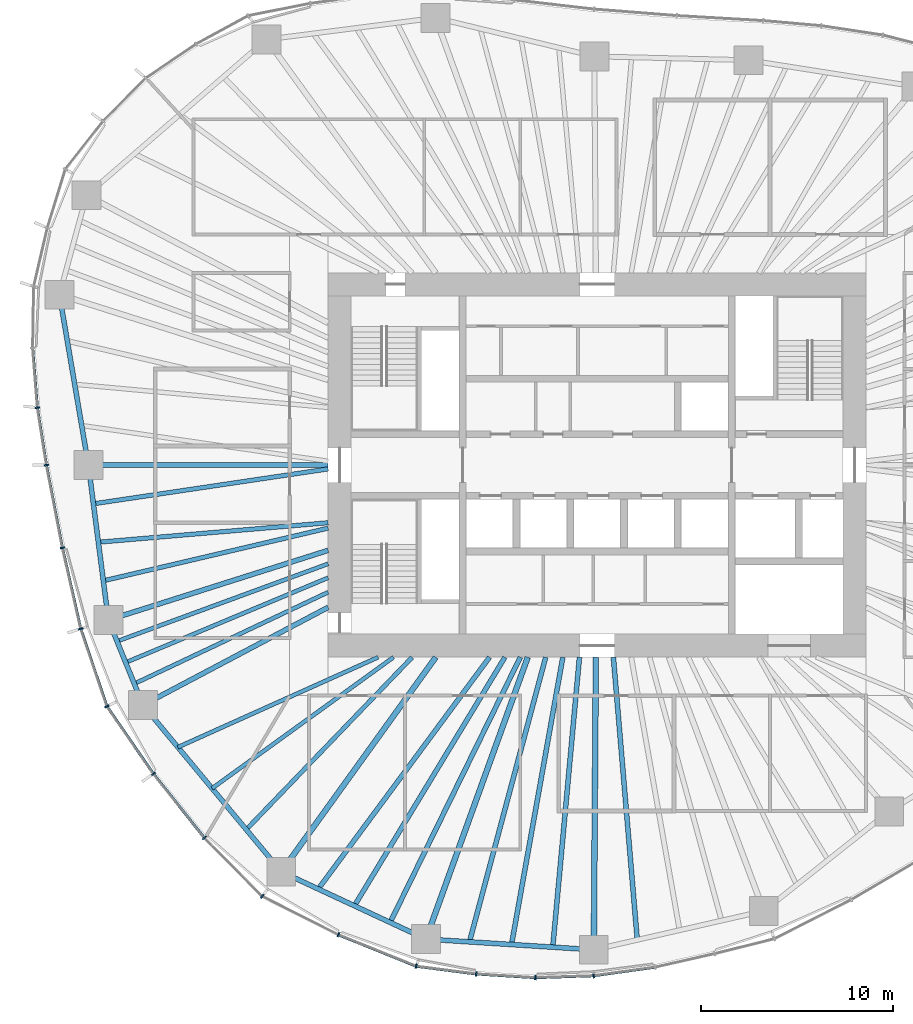
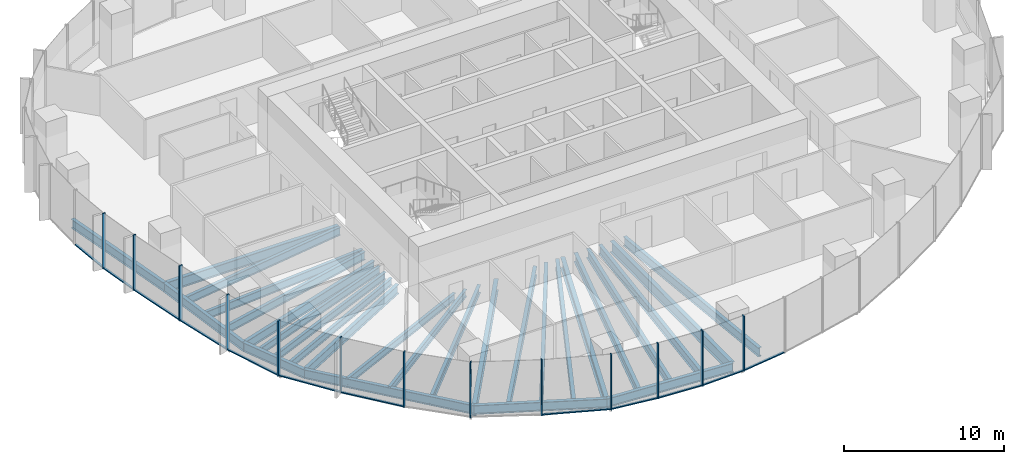
# One storey, part 2 of 18: 28 beams, 25 members, 7 elements without a shape of their own.
"""IFC4 building model written with IfcOpenShell, lengths in metres."""

from ifc_helpers import new_model, si_unit, direction, frame, origin, origin_2d, place, context, subcontext, project, spatial, rectangle, i_section, extrude, material, material_profile, profile_set, type_object, element, aggregate, save


model = new_model("IFC4")

# Units and contexts
model_context = context("Model", 3, precision=1e-05, world=origin(), true_north=direction((0.0, 1.0)))
body_context = subcontext(model_context, "Body", "Model", "MODEL_VIEW")
ifc_project = project(units=[si_unit("LENGTHUNIT", "METRE"), si_unit("AREAUNIT", "SQUARE_METRE"), si_unit("VOLUMEUNIT", "CUBIC_METRE"), si_unit("PLANEANGLEUNIT", "RADIAN"), si_unit("MASSUNIT", "GRAM", prefix="KILO")], contexts=[model_context])

# Site, building, storey
site_placement = place(None, origin())
site = spatial("IfcSite", under=ifc_project, at=site_placement, CompositionType="ELEMENT")
building_placement = place(site_placement, origin())
building = spatial("IfcBuilding", under=site, at=building_placement, Name="Ghaith Harvest Tower", CompositionType="ELEMENT")
storey_placement = place(building_placement, frame((0.0, 0.0, 126.0)))
storey = spatial("IfcBuildingStorey", under=building, at=storey_placement, Name="L26", CompositionType="ELEMENT", Elevation=126.0)

# Curtain wall, member
ifc_material_1 = material(Name="Black anodised aluminium and fritted glass", Category="aluminium")
curtain_wall_type = type_object("IfcCurtainWallType", Name="CW-L CURTAIN WALL", PredefinedType="NOTDEFINED", material=ifc_material_1)
curtain_wall_1_placement = place(storey_placement, origin())
curtain_wall_1 = element("IfcCurtainWall", 1, at=curtain_wall_1_placement, inside=storey, type_object=curtain_wall_type, Name="Curtain wall CW-L bay 10 L26", PredefinedType="NOTDEFINED")
ifc_material_2 = material(Name="Aluminium, black anodised", Category="aluminium")
ifc_material_profile_1 = material_profile(ifc_material_2, rectangle(XDim=0.080078125, YDim=0.239990234375, at=origin_2d()), Name="CW-L MULLION 80x240")
ifc_profile_set_1 = profile_set([ifc_material_profile_1], Name="Aluminium, black anodised")
member_type_1 = type_object("IfcMemberType", Name="CW-L MULLION 80x240", PredefinedType="MULLION", material=ifc_profile_set_1)
member_1_placement = place(storey_placement, frame((-29.131103515625, 2.990478515625, 0.0), z_axis=(0.0, 0.0, 1.0), x_axis=(0.116763791346, -0.993159713757, 0.0)))
member_1 = element("IfcMember", 2, at=member_1_placement, type_object=member_type_1, Name="CW-L mullion 3 bay 10 L26", PredefinedType="MULLION", context=body_context, shape_type="SweptSolid", body=[
    extrude(rectangle(XDim=0.080078125, YDim=0.239990234375, at=origin_2d()), origin(), (0.0, 0.0, 1.0), 4.199951171875),
])

# Curtain wall, members
curtain_wall_2_placement = place(storey_placement, origin())
curtain_wall_2 = element("IfcCurtainWall", 3, at=curtain_wall_2_placement, inside=storey, type_object=curtain_wall_type, Name="Curtain wall CW-L bay 11 L26", PredefinedType="NOTDEFINED")
member_2_placement = place(storey_placement, frame((-28.6611328125, 0.0, 0.0), z_axis=(0.0, 0.0, 1.0), x_axis=(0.175827209372, -0.984421044292, 0.0)))
member_2 = element("IfcMember", 4, at=member_2_placement, type_object=member_type_1, Name="CW-L mullion 1 bay 11 L26", PredefinedType="MULLION", context=body_context, shape_type="SweptSolid", body=[
    extrude(rectangle(XDim=0.080078125, YDim=0.239990234375, at=origin_2d()), origin(), (0.0, 0.0, 1.0), 4.199951171875),
])
member_3_placement = place(storey_placement, frame((-27.828125, -4.30419921875, 0.0), z_axis=(0.0, 0.0, 1.0), x_axis=(0.205176300018, -0.978725030798, 0.0)))
member_3 = element("IfcMember", 5, at=member_3_placement, type_object=member_type_1, Name="CW-L mullion 2 bay 11 L26", PredefinedType="MULLION", context=body_context, shape_type="SweptSolid", body=[
    extrude(rectangle(XDim=0.080078125, YDim=0.239990234375, at=origin_2d()), origin(), (0.0, 0.0, 1.0), 4.199951171875),
])

curtain_wall_3_placement = place(storey_placement, origin())
curtain_wall_3 = element("IfcCurtainWall", 6, at=curtain_wall_3_placement, inside=storey, type_object=curtain_wall_type, Name="Curtain wall CW-L bay 12 L26", PredefinedType="NOTDEFINED")
member_4_placement = place(storey_placement, frame((-26.875732421875, -8.517333984375, 0.0), z_axis=(0.0, 0.0, 1.0), x_axis=(0.270018818005, -0.962855045125, 0.0)))
member_4 = element("IfcMember", 7, at=member_4_placement, type_object=member_type_1, Name="CW-L mullion 1 bay 12 L26", PredefinedType="MULLION", context=body_context, shape_type="SweptSolid", body=[
    extrude(rectangle(XDim=0.080078125, YDim=0.239990234375, at=origin_2d()), origin(), (0.0, 0.0, 1.0), 4.199951171875),
])
member_5_placement = place(storey_placement, frame((-25.513427734375, -12.55810546875, 0.0), z_axis=(0.0, 0.0, 1.0), x_axis=(0.448267068681, -0.893899678452, 0.0)))
member_5 = element("IfcMember", 8, at=member_5_placement, type_object=member_type_1, Name="CW-L mullion 2 bay 12 L26", PredefinedType="MULLION", context=body_context, shape_type="SweptSolid", body=[
    extrude(rectangle(XDim=0.080078125, YDim=0.239990234375, at=origin_2d()), origin(), (0.0, 0.0, 1.0), 4.199951171875),
])

curtain_wall_4_placement = place(storey_placement, origin())
curtain_wall_4 = element("IfcCurtainWall", 9, at=curtain_wall_4_placement, inside=storey, type_object=curtain_wall_type, Name="Curtain wall CW-L bay 13 L26", PredefinedType="NOTDEFINED")
member_6_placement = place(storey_placement, frame((-23.090087890625, -16.066162109375, 0.0), z_axis=(0.0, 0.0, 1.0), x_axis=(0.595740202191, -0.803177198066, 0.0)))
member_6 = element("IfcMember", 10, at=member_6_placement, type_object=member_type_1, Name="CW-L mullion 1 bay 13 L26", PredefinedType="MULLION", context=body_context, shape_type="SweptSolid", body=[
    extrude(rectangle(XDim=0.080078125, YDim=0.239990234375, at=origin_2d()), origin(), (0.0, 0.0, 1.0), 4.199951171875),
])
member_7_placement = place(storey_placement, frame((-20.441162109375, -19.396728515625, 0.0), z_axis=(0.0, 0.0, 1.0), x_axis=(0.663764675537, -0.747941478666, 0.0)))
member_7 = element("IfcMember", 11, at=member_7_placement, type_object=member_type_1, Name="CW-L mullion 2 bay 13 L26", PredefinedType="MULLION", context=body_context, shape_type="SweptSolid", body=[
    extrude(rectangle(XDim=0.080078125, YDim=0.239990234375, at=origin_2d()), origin(), (0.0, 0.0, 1.0), 4.199951171875),
])

curtain_wall_5_placement = place(storey_placement, origin())
curtain_wall_5 = element("IfcCurtainWall", 12, at=curtain_wall_5_placement, inside=storey, type_object=curtain_wall_type, Name="Curtain wall CW-L bay 14 L26", PredefinedType="NOTDEFINED")
member_8_placement = place(storey_placement, frame((-17.430419921875, -22.443603515625, 0.0), z_axis=(0.0, 0.0, 1.0), x_axis=(0.810339399222, -0.585960799089, 0.0)))
member_8 = element("IfcMember", 13, at=member_8_placement, type_object=member_type_1, Name="CW-L mullion 1 bay 14 L26", PredefinedType="MULLION", context=body_context, shape_type="SweptSolid", body=[
    extrude(rectangle(XDim=0.080078125, YDim=0.239990234375, at=origin_2d()), origin(), (0.0, 0.0, 1.0), 4.199951171875),
])
member_9_placement = place(storey_placement, frame((-13.463134765625, -24.4423828125, 0.0), z_axis=(0.0, 0.0, 1.0), x_axis=(0.910648017946, -0.413182995066, 0.0)))
member_9 = element("IfcMember", 14, at=member_9_placement, type_object=member_type_1, Name="CW-L mullion 2 bay 14 L26", PredefinedType="MULLION", context=body_context, shape_type="SweptSolid", body=[
    extrude(rectangle(XDim=0.080078125, YDim=0.239990234375, at=origin_2d()), origin(), (0.0, 0.0, 1.0), 4.199951171875),
])

curtain_wall_6_placement = place(storey_placement, origin())
curtain_wall_6 = element("IfcCurtainWall", 15, at=curtain_wall_6_placement, inside=storey, type_object=curtain_wall_type, Name="Curtain wall CW-L bay 15 L26", PredefinedType="NOTDEFINED")
member_10_placement = place(storey_placement, frame((-9.4189453125, -26.07861328125, 0.0), z_axis=(0.0, 0.0, 1.0), x_axis=(0.961788606004, -0.273793128768, 0.0)))
member_10 = element("IfcMember", 16, at=member_10_placement, type_object=member_type_1, Name="CW-L mullion 1 bay 15 L26", PredefinedType="MULLION", context=body_context, shape_type="SweptSolid", body=[
    extrude(rectangle(XDim=0.080078125, YDim=0.239990234375, at=origin_2d()), origin(), (0.0, 0.0, 1.0), 4.199951171875),
])
member_11_placement = place(storey_placement, frame((-6.29443359375, -26.483154296875, 0.0), z_axis=(0.0, 0.0, 1.0), x_axis=(0.995389243171, -0.095917957546, 0.0)))
member_11 = element("IfcMember", 17, at=member_11_placement, type_object=member_type_1, Name="CW-L mullion 2 bay 15 L26", PredefinedType="MULLION", context=body_context, shape_type="SweptSolid", body=[
    extrude(rectangle(XDim=0.080078125, YDim=0.239990234375, at=origin_2d()), origin(), (0.0, 0.0, 1.0), 4.199951171875),
])
member_12_placement = place(storey_placement, frame((-3.21923828125, -26.676025390625, 0.0), z_axis=(0.0, 0.0, 1.0), x_axis=(0.999890531495, -0.014796115241, 0.0)))
member_12 = element("IfcMember", 18, at=member_12_placement, type_object=member_type_1, Name="CW-L mullion 3 bay 15 L26", PredefinedType="MULLION", context=body_context, shape_type="SweptSolid", body=[
    extrude(rectangle(XDim=0.080078125, YDim=0.239990234375, at=origin_2d()), origin(), (0.0, 0.0, 1.0), 4.199951171875),
])

# Curtain wall, member
curtain_wall_7_placement = place(storey_placement, origin())
curtain_wall_7 = element("IfcCurtainWall", 19, at=curtain_wall_7_placement, inside=storey, type_object=curtain_wall_type, Name="Curtain wall CW-L bay 16 L26", PredefinedType="NOTDEFINED")
member_13_placement = place(storey_placement, frame((-0.181884765625, -26.57373046875, 0.0), z_axis=(0.0, 0.0, 1.0), x_axis=(0.996169227662, 0.087446382772, 0.0)))
member_13 = element("IfcMember", 20, at=member_13_placement, type_object=member_type_1, Name="CW-L mullion 1 bay 16 L26", PredefinedType="MULLION", context=body_context, shape_type="SweptSolid", body=[
    extrude(rectangle(XDim=0.080078125, YDim=0.239990234375, at=origin_2d()), origin(), (0.0, 0.0, 1.0), 4.199951171875),
])

# Member
ifc_material_3 = material(Name="Aluminium, black anodised", Category="aluminium")
ifc_material_profile_2 = material_profile(ifc_material_3, rectangle(XDim=0.14990234375, YDim=0.080078125, at=origin_2d()), Name="CW-L TRANSOM 150x80")
ifc_profile_set_2 = profile_set([ifc_material_profile_2], Name="Aluminium, black anodised")
member_type_2 = type_object("IfcMemberType", Name="CW-L TRANSOM 150x80", PredefinedType="USERDEFINED", material=ifc_profile_set_2)
member_14_placement = place(storey_placement, frame((-29.374755859375, 6.05615234375, 0.0400390625), z_axis=(0.079230491279, -0.996856323274, 0.0), x_axis=(0.996856323274, 0.079230491279, 0.0)))
member_14 = element("IfcMember", 21, at=member_14_placement, type_object=member_type_2, Name="CW-L transom 2 bay 10 L26", ObjectType="TRANSOM", PredefinedType="USERDEFINED", context=body_context, shape_type="SweptSolid", body=[
    extrude(rectangle(XDim=0.14990234375, YDim=0.080078125, at=origin_2d()), origin(), (0.0, 0.0, 1.0), 3.03515625),
])

member_15_placement = place(storey_placement, frame((-29.124755859375, 2.951171875, 0.0400390625), z_axis=(0.155150065502, -0.987890913601, 0.0), x_axis=(0.987890913601, 0.155150065502, 0.0)))
member_15 = element("IfcMember", 22, at=member_15_placement, type_object=member_type_2, Name="CW-L transom 3 bay 10 L26", ObjectType="TRANSOM", PredefinedType="USERDEFINED", context=body_context, shape_type="SweptSolid", body=[
    extrude(rectangle(XDim=0.14990234375, YDim=0.080078125, at=origin_2d()), origin(), (0.0, 0.0, 1.0), 2.947265625),
])

aggregate(curtain_wall_1, [member_14, member_1, member_15])

member_16_placement = place(storey_placement, frame((-28.653564453125, -0.039306640625, 0.0400390625), z_axis=(0.190025434036, -0.981779167848, 0.0), x_axis=(0.981779167848, 0.190025434036, 0.0)))
member_16 = element("IfcMember", 23, at=member_16_placement, type_object=member_type_2, Name="CW-L transom 1 bay 11 L26", ObjectType="TRANSOM", PredefinedType="USERDEFINED", context=body_context, shape_type="SweptSolid", body=[
    extrude(rectangle(XDim=0.14990234375, YDim=0.080078125, at=origin_2d()), origin(), (0.0, 0.0, 1.0), 4.303955078125),
])

member_17_placement = place(storey_placement, frame((-27.8193359375, -4.34326171875, 0.0400390625), z_axis=(0.220508326041, -0.975385092231, 0.0), x_axis=(0.975385092231, 0.220508326041, 0.0)))
member_17 = element("IfcMember", 24, at=member_17_placement, type_object=member_type_2, Name="CW-L transom 2 bay 11 L26", ObjectType="TRANSOM", PredefinedType="USERDEFINED", context=body_context, shape_type="SweptSolid", body=[
    extrude(rectangle(XDim=0.14990234375, YDim=0.080078125, at=origin_2d()), origin(), (0.0, 0.0, 1.0), 4.2392578125),
])

aggregate(curtain_wall_2, [member_2, member_16, member_3, member_17])

member_18_placement = place(storey_placement, frame((-26.863037109375, -8.55517578125, 0.0400390625), z_axis=(0.319499057133, -0.947586593664, 0.0), x_axis=(0.947586593664, 0.319499057133, 0.0)))
member_18 = element("IfcMember", 25, at=member_18_placement, type_object=member_type_2, Name="CW-L transom 1 bay 12 L26", ObjectType="TRANSOM", PredefinedType="USERDEFINED", context=body_context, shape_type="SweptSolid", body=[
    extrude(rectangle(XDim=0.14990234375, YDim=0.080078125, at=origin_2d()), origin(), (0.0, 0.0, 1.0), 4.184326171875),
])

member_19_placement = place(storey_placement, frame((-25.49072265625, -12.591064453125, 0.0400390625), z_axis=(0.568360052499, -0.822779952796, 0.0), x_axis=(0.822779952796, 0.568360052499, 0.0)))
member_19 = element("IfcMember", 26, at=member_19_placement, type_object=member_type_2, Name="CW-L transom 2 bay 12 L26", ObjectType="TRANSOM", PredefinedType="USERDEFINED", context=body_context, shape_type="SweptSolid", body=[
    extrude(rectangle(XDim=0.14990234375, YDim=0.080078125, at=origin_2d()), origin(), (0.0, 0.0, 1.0), 4.183837890625),
])

aggregate(curtain_wall_3, [member_4, member_18, member_5, member_19])

member_20_placement = place(storey_placement, frame((-23.065185546875, -16.09765625, 0.0400390625), z_axis=(0.622510542814, -0.782611413209, 0.0), x_axis=(0.782611413209, 0.622510542814, 0.0)))
member_20 = element("IfcMember", 27, at=member_20_placement, type_object=member_type_2, Name="CW-L transom 1 bay 13 L26", ObjectType="TRANSOM", PredefinedType="USERDEFINED", context=body_context, shape_type="SweptSolid", body=[
    extrude(rectangle(XDim=0.14990234375, YDim=0.080078125, at=origin_2d()), origin(), (0.0, 0.0, 1.0), 4.17529296875),
])

aggregate(curtain_wall_4, [member_6, member_20, member_7])

member_21_placement = place(storey_placement, frame((-13.426025390625, -24.45751953125, 0.0400390625), z_axis=(0.92700297754, -0.375053968959, 0.0), x_axis=(0.375053968959, 0.92700297754, 0.0)))
member_21 = element("IfcMember", 28, at=member_21_placement, type_object=member_type_2, Name="CW-L transom 2 bay 14 L26", ObjectType="TRANSOM", PredefinedType="USERDEFINED", context=body_context, shape_type="SweptSolid", body=[
    extrude(rectangle(XDim=0.14990234375, YDim=0.080078125, at=origin_2d()), origin(), (0.0, 0.0, 1.0), 4.282470703125),
])

aggregate(curtain_wall_5, [member_8, member_9, member_21])

member_22_placement = place(storey_placement, frame((-9.37939453125, -26.083740234375, 0.0400390625), z_axis=(0.991722765635, -0.128397648429, 0.0), x_axis=(0.128397648429, 0.991722765635, 0.0)))
member_22 = element("IfcMember", 29, at=member_22_placement, type_object=member_type_2, Name="CW-L transom 1 bay 15 L26", ObjectType="TRANSOM", PredefinedType="USERDEFINED", context=body_context, shape_type="SweptSolid", body=[
    extrude(rectangle(XDim=0.14990234375, YDim=0.080078125, at=origin_2d()), origin(), (0.0, 0.0, 1.0), 3.07080078125),
])

member_23_placement = place(storey_placement, frame((-6.25439453125, -26.485595703125, 0.0400390625), z_axis=(0.998036402434, -0.062636566132, 0.0), x_axis=(0.062636566132, 0.998036402434, 0.0)))
member_23 = element("IfcMember", 30, at=member_23_placement, type_object=member_type_2, Name="CW-L transom 2 bay 15 L26", ObjectType="TRANSOM", PredefinedType="USERDEFINED", context=body_context, shape_type="SweptSolid", body=[
    extrude(rectangle(XDim=0.14990234375, YDim=0.080078125, at=origin_2d()), origin(), (0.0, 0.0, 1.0), 3.001220703125),
])

member_24_placement = place(storey_placement, frame((-3.17919921875, -26.6748046875, 0.0400390625), z_axis=(0.999430436664, 0.033746144522, 0.0), x_axis=(-0.033746144522, 0.999430436664, 0.0)))
member_24 = element("IfcMember", 31, at=member_24_placement, type_object=member_type_2, Name="CW-L transom 3 bay 15 L26", ObjectType="TRANSOM", PredefinedType="USERDEFINED", context=body_context, shape_type="SweptSolid", body=[
    extrude(rectangle(XDim=0.14990234375, YDim=0.080078125, at=origin_2d()), origin(), (0.0, 0.0, 1.0), 2.958984375),
])

aggregate(curtain_wall_6, [member_10, member_22, member_11, member_23, member_12, member_24])

member_25_placement = place(storey_placement, frame((-0.142333984375, -26.568115234375, 0.0400390625), z_axis=(0.990446640965, 0.137896524254, 0.0), x_axis=(-0.137896524254, 0.990446640965, 0.0)))
member_25 = element("IfcMember", 32, at=member_25_placement, type_object=member_type_2, Name="CW-L transom 1 bay 16 L26", ObjectType="TRANSOM", PredefinedType="USERDEFINED", context=body_context, shape_type="SweptSolid", body=[
    extrude(rectangle(XDim=0.14990234375, YDim=0.080078125, at=origin_2d()), origin(), (0.0, 0.0, 1.0), 3.142578125),
])

aggregate(curtain_wall_7, [member_13, member_25])

# Beams
ifc_material_4 = material(Name="Steel ASTM A992 Grade 50", Category="steel")
ifc_material_profile_3 = material_profile(ifc_material_4, i_section(OverallWidth=0.25390625, OverallDepth=0.68408203125, WebThickness=0.012451171875, FlangeThickness=0.018798828125, at=origin_2d()), Name="W690X140")
ifc_profile_set_3 = profile_set([ifc_material_profile_3], Name="Steel ASTM A992 Grade 50")
beam_type_1 = type_object("IfcBeamType", Name="E690-140 W690X140", PredefinedType="SPANDREL", material=ifc_profile_set_3)
beam_1_placement = place(storey_placement, frame((-27.98291015625, 8.867919921875, -0.511962890625), z_axis=(0.167624246844, -0.985850958244, 0.0), x_axis=(0.985850958244, 0.167624246844, 0.0)))
element("IfcBeam", 33, at=beam_1_placement, inside=storey, type_object=beam_type_1, Name="Edge beam E10 L26", PredefinedType="SPANDREL", context=body_context, shape_type="SweptSolid", body=[
    extrude(i_section(OverallWidth=0.25390625, OverallDepth=0.68408203125, WebThickness=0.012451171875, FlangeThickness=0.018798828125, at=origin_2d()), origin(), (0.0, 0.0, 1.0), 8.9951171875),
])
beam_2_placement = place(storey_placement, frame((-26.47509765625, 0.0, -0.511962890625), z_axis=(0.127841715048, -0.991794583517, 0.0), x_axis=(0.991794583517, 0.127841715048, 0.0)))
element("IfcBeam", 34, at=beam_2_placement, inside=storey, type_object=beam_type_1, Name="Edge beam E11 L26", PredefinedType="SPANDREL", context=body_context, shape_type="SweptSolid", body=[
    extrude(i_section(OverallWidth=0.25390625, OverallDepth=0.68408203125, WebThickness=0.012451171875, FlangeThickness=0.018798828125, at=origin_2d()), origin(), (0.0, 0.0, 1.0), 8.127685546875),
])
beam_3_placement = place(storey_placement, frame((-25.43603515625, -8.06103515625, -0.511962890625), z_axis=(0.376479712052, -0.9264248628, 0.0), x_axis=(0.9264248628, 0.376479712052, 0.0)))
element("IfcBeam", 35, at=beam_3_placement, inside=storey, type_object=beam_type_1, Name="Edge beam E12 L26", PredefinedType="SPANDREL", context=body_context, shape_type="SweptSolid", body=[
    extrude(i_section(OverallWidth=0.25390625, OverallDepth=0.68408203125, WebThickness=0.012451171875, FlangeThickness=0.018798828125, at=origin_2d()), origin(), (0.0, 0.0, 1.0), 4.783935546875),
])
beam_4_placement = place(storey_placement, frame((-23.635009765625, -12.492919921875, -0.511962890625), z_axis=(0.638719320052, -0.769439815835, 0.0), x_axis=(0.769439815835, 0.638719320052, 0.0)))
element("IfcBeam", 36, at=beam_4_placement, inside=storey, type_object=beam_type_1, Name="Edge beam E13 L26", PredefinedType="SPANDREL", context=body_context, shape_type="SweptSolid", body=[
    extrude(i_section(OverallWidth=0.25390625, OverallDepth=0.68408203125, WebThickness=0.012451171875, FlangeThickness=0.018798828125, at=origin_2d()), origin(), (0.0, 0.0, 1.0), 11.26953125),
])
beam_5_placement = place(storey_placement, frame((-16.43701171875, -21.1640625, -0.511962890625), z_axis=(0.906607079462, -0.421975832802, 0.0), x_axis=(0.421975832802, 0.906607079462, 0.0)))
element("IfcBeam", 37, at=beam_5_placement, inside=storey, type_object=beam_type_1, Name="Edge beam E14 L26", PredefinedType="SPANDREL", context=body_context, shape_type="SweptSolid", body=[
    extrude(i_section(OverallWidth=0.25390625, OverallDepth=0.68408203125, WebThickness=0.012451171875, FlangeThickness=0.018798828125, at=origin_2d()), origin(), (0.0, 0.0, 1.0), 8.303466796875),
])
beam_6_placement = place(storey_placement, frame((-8.908935546875, -24.66796875, -0.511962890625), z_axis=(0.99797963184, -0.063534671101, 0.0), x_axis=(0.063534671101, 0.99797963184, 0.0)))
element("IfcBeam", 38, at=beam_6_placement, inside=storey, type_object=beam_type_1, Name="Edge beam E15 L26", PredefinedType="SPANDREL", context=body_context, shape_type="SweptSolid", body=[
    extrude(i_section(OverallWidth=0.25390625, OverallDepth=0.68408203125, WebThickness=0.012451171875, FlangeThickness=0.018798828125, at=origin_2d()), origin(), (0.0, 0.0, 1.0), 8.75341796875),
])
ifc_material_5 = material(Name="Steel ASTM A992 Grade 50", Category="steel")
ifc_material_profile_4 = material_profile(ifc_material_5, i_section(OverallWidth=0.256103515625, OverallDepth=0.693115234375, WebThickness=0.014404296875, FlangeThickness=0.023681640625, at=origin_2d()), Name="W690X170")
ifc_profile_set_4 = profile_set([ifc_material_profile_4], Name="Steel ASTM A992 Grade 50")
beam_type_2 = type_object("IfcBeamType", Name="G690-170 W690X170", PredefinedType="BEAM", material=ifc_profile_set_4)
beam_7_placement = place(storey_placement, frame((-14.0, -4.43701171875, -0.5166015625), z_axis=(-0.953279533519, -0.302089607522, 0.0), x_axis=(0.302089607522, -0.953279533519, 0.0)))
element("IfcBeam", 39, at=beam_7_placement, inside=storey, type_object=beam_type_2, Name="Radial girder G12 L26", PredefinedType="BEAM", context=body_context, shape_type="SweptSolid", body=[
    extrude(i_section(OverallWidth=0.256103515625, OverallDepth=0.693115234375, WebThickness=0.014404296875, FlangeThickness=0.023681640625, at=origin_2d()), origin(), (0.0, 0.0, 1.0), 11.99658203125),
])
beam_8_placement = place(storey_placement, frame((-14.0, -7.39990234375, -0.5166015625), z_axis=(-0.884086346066, -0.467323584576, 0.0), x_axis=(0.467323584576, -0.884086346066, 0.0)))
element("IfcBeam", 40, at=beam_8_placement, inside=storey, type_object=beam_type_2, Name="Radial girder G13 L26", PredefinedType="BEAM", context=body_context, shape_type="SweptSolid", body=[
    extrude(i_section(OverallWidth=0.256103515625, OverallDepth=0.693115234375, WebThickness=0.014404296875, FlangeThickness=0.023681640625, at=origin_2d()), origin(), (0.0, 0.0, 1.0), 10.898193359375),
])
ifc_material_6 = material(Name="Steel ASTM A992 Grade 50", Category="steel")
ifc_material_profile_5 = material_profile(ifc_material_6, i_section(OverallWidth=0.26806640625, OverallDepth=0.77001953125, WebThickness=0.015625, FlangeThickness=0.025390625, at=origin_2d()), Name="W760X196")
ifc_profile_set_5 = profile_set([ifc_material_profile_5], Name="Steel ASTM A992 Grade 50")
beam_type_3 = type_object("IfcBeamType", Name="G760-196 W760X196", PredefinedType="BEAM", material=ifc_profile_set_5)
beam_9_placement = place(storey_placement, frame((-14.0, 0.0, -0.554931640625), z_axis=(-1.0, 0.0, 0.0), x_axis=(0.0, -1.0, 0.0)))
element("IfcBeam", 41, at=beam_9_placement, inside=storey, type_object=beam_type_3, Name="Radial girder G11 L26", PredefinedType="BEAM", context=body_context, shape_type="SweptSolid", body=[
    extrude(i_section(OverallWidth=0.26806640625, OverallDepth=0.77001953125, WebThickness=0.015625, FlangeThickness=0.025390625, at=origin_2d()), origin(), (0.0, 0.0, 1.0), 12.47509765625),
])
ifc_material_7 = material(Name="Steel ASTM A992 Grade 50", Category="steel")
ifc_material_profile_6 = material_profile(ifc_material_7, i_section(OverallWidth=0.2939453125, OverallDepth=0.85107421875, WebThickness=0.01611328125, FlangeThickness=0.02685546875, at=origin_2d()), Name="W840X226")
ifc_profile_set_6 = profile_set([ifc_material_profile_6], Name="Steel ASTM A992 Grade 50")
beam_type_4 = type_object("IfcBeamType", Name="G840-226 W840X226", PredefinedType="BEAM", material=ifc_profile_set_6)
beam_10_placement = place(storey_placement, frame((-8.39990234375, -10.0, -0.595458984375), z_axis=(-0.584256100809, -0.811569349265, 0.0), x_axis=(0.811569349265, -0.584256100809, 0.0)))
element("IfcBeam", 42, at=beam_10_placement, inside=storey, type_object=beam_type_4, Name="Radial girder G14 L26", PredefinedType="BEAM", context=body_context, shape_type="SweptSolid", body=[
    extrude(i_section(OverallWidth=0.2939453125, OverallDepth=0.85107421875, WebThickness=0.01611328125, FlangeThickness=0.02685546875, at=origin_2d()), origin(), (0.0, 0.0, 1.0), 13.756103515625),
])
beam_11_placement = place(storey_placement, frame((-3.61181640625, -10.0, -0.595458984375), z_axis=(-0.339664467784, -0.940546675782, 0.0), x_axis=(0.940546675782, -0.339664467784, 0.0)))
element("IfcBeam", 43, at=beam_11_placement, inside=storey, type_object=beam_type_4, Name="Radial girder G15 L26", PredefinedType="BEAM", context=body_context, shape_type="SweptSolid", body=[
    extrude(i_section(OverallWidth=0.2939453125, OverallDepth=0.85107421875, WebThickness=0.01611328125, FlangeThickness=0.02685546875, at=origin_2d()), origin(), (0.0, 0.0, 1.0), 15.59521484375),
])
beam_12_placement = place(storey_placement, frame((-0.068359375, -10.0, -0.595458984375), z_axis=(-0.006879467722, -0.999976336182, 0.0), x_axis=(0.999976336182, -0.006879467722, 0.0)))
element("IfcBeam", 44, at=beam_12_placement, inside=storey, type_object=beam_type_4, Name="Radial girder G16 L26", PredefinedType="BEAM", context=body_context, shape_type="SweptSolid", body=[
    extrude(i_section(OverallWidth=0.2939453125, OverallDepth=0.85107421875, WebThickness=0.01611328125, FlangeThickness=0.02685546875, at=origin_2d()), origin(), (0.0, 0.0, 1.0), 15.224365234375),
])
ifc_material_8 = material(Name="Steel ASTM A992 Grade 50", Category="steel")
ifc_material_profile_7 = material_profile(ifc_material_8, i_section(OverallWidth=0.2109375, OverallDepth=0.5390625, WebThickness=0.01171875, FlangeThickness=0.018798828125, at=origin_2d()), Name="W530X109")
ifc_profile_set_7 = profile_set([ifc_material_profile_7], Name="Steel ASTM A992 Grade 50")
beam_type_5 = type_object("IfcBeamType", Name="J530-109 W530X109", PredefinedType="JOIST", material=ifc_profile_set_7)
beam_13_placement = place(storey_placement, frame((-14.0, -5.137939453125, -0.439453125), z_axis=(-0.938774452531, -0.344532331247, 0.0), x_axis=(0.344532331247, -0.938774452531, 0.0)))
element("IfcBeam", 45, at=beam_13_placement, inside=storey, type_object=beam_type_5, Name="Joist J12.1 L26", PredefinedType="JOIST", context=body_context, shape_type="SweptSolid", body=[
    extrude(i_section(OverallWidth=0.2109375, OverallDepth=0.5390625, WebThickness=0.01171875, FlangeThickness=0.018798828125, at=origin_2d()), origin(), (0.0, 0.0, 1.0), 11.7021484375),
])
beam_14_placement = place(storey_placement, frame((-14.0, -5.862548828125, -0.439453125), z_axis=(-0.922385564947, -0.386270461693, 0.0), x_axis=(0.386270461693, -0.922385564947, 0.0)))
element("IfcBeam", 46, at=beam_14_placement, inside=storey, type_object=beam_type_5, Name="Joist J12.2 L26", PredefinedType="JOIST", context=body_context, shape_type="SweptSolid", body=[
    extrude(i_section(OverallWidth=0.2109375, OverallDepth=0.5390625, WebThickness=0.01171875, FlangeThickness=0.018798828125, at=origin_2d()), origin(), (0.0, 0.0, 1.0), 11.4228515625),
])
beam_15_placement = place(storey_placement, frame((-14.0, -6.614990234375, -0.439453125), z_axis=(-0.904150042111, -0.427215052815, 0.0), x_axis=(0.427215052815, -0.904150042111, 0.0)))
element("IfcBeam", 47, at=beam_15_placement, inside=storey, type_object=beam_type_5, Name="Joist J12.3 L26", PredefinedType="JOIST", context=body_context, shape_type="SweptSolid", body=[
    extrude(i_section(OverallWidth=0.2109375, OverallDepth=0.5390625, WebThickness=0.01171875, FlangeThickness=0.018798828125, at=origin_2d()), origin(), (0.0, 0.0, 1.0), 11.15625),
])
beam_16_placement = place(storey_placement, frame((-11.39990234375, -10.0, -0.439453125), z_axis=(-0.912147734774, -0.409861574127, 0.0), x_axis=(0.409861574127, -0.912147734774, 0.0)))
element("IfcBeam", 48, at=beam_16_placement, inside=storey, type_object=beam_type_5, Name="Joist J13.1 L26", PredefinedType="JOIST", context=body_context, shape_type="SweptSolid", body=[
    extrude(i_section(OverallWidth=0.2109375, OverallDepth=0.5390625, WebThickness=0.01171875, FlangeThickness=0.018798828125, at=origin_2d()), origin(), (0.0, 0.0, 1.0), 11.421875),
])
beam_17_placement = place(storey_placement, frame((-10.60009765625, -10.0, -0.439453125), z_axis=(-0.810452010932, -0.5858050341, 0.0), x_axis=(0.5858050341, -0.810452010932, 0.0)))
element("IfcBeam", 49, at=beam_17_placement, inside=storey, type_object=beam_type_5, Name="Joist J13.2 L26", PredefinedType="JOIST", context=body_context, shape_type="SweptSolid", body=[
    extrude(i_section(OverallWidth=0.2109375, OverallDepth=0.5390625, WebThickness=0.01171875, FlangeThickness=0.018798828125, at=origin_2d()), origin(), (0.0, 0.0, 1.0), 11.64794921875),
])
ifc_material_9 = material(Name="Steel ASTM A992 Grade 50", Category="steel")
ifc_material_profile_8 = material_profile(ifc_material_9, i_section(OverallWidth=0.22900390625, OverallDepth=0.612060546875, WebThickness=0.011962890625, FlangeThickness=0.01953125, at=origin_2d()), Name="W610X125")
ifc_profile_set_8 = profile_set([ifc_material_profile_8], Name="Steel ASTM A992 Grade 50")
beam_type_6 = type_object("IfcBeamType", Name="J610-125 W610X125", PredefinedType="JOIST", material=ifc_profile_set_8)
beam_18_placement = place(storey_placement, frame((-14.0, -0.199951171875, -0.47607421875), z_axis=(-0.989135422742, -0.147007195321, 0.0), x_axis=(0.147007195321, -0.989135422742, 0.0)))
element("IfcBeam", 50, at=beam_18_placement, inside=storey, type_object=beam_type_6, Name="Joist J11.1 L26", PredefinedType="JOIST", context=body_context, shape_type="SweptSolid", body=[
    extrude(i_section(OverallWidth=0.22900390625, OverallDepth=0.612060546875, WebThickness=0.011962890625, FlangeThickness=0.01953125, at=origin_2d()), origin(), (0.0, 0.0, 1.0), 12.349365234375),
])
beam_19_placement = place(storey_placement, frame((-14.0, -3.0, -0.47607421875), z_axis=(-0.996417474722, -0.0845707755, 0.0), x_axis=(0.0845707755, -0.996417474722, 0.0)))
element("IfcBeam", 51, at=beam_19_placement, inside=storey, type_object=beam_type_6, Name="Joist J11.2 L26", PredefinedType="JOIST", context=body_context, shape_type="SweptSolid", body=[
    extrude(i_section(OverallWidth=0.22900390625, OverallDepth=0.612060546875, WebThickness=0.011962890625, FlangeThickness=0.01953125, at=origin_2d()), origin(), (0.0, 0.0, 1.0), 12.00048828125),
])
beam_20_placement = place(storey_placement, frame((-14.0, -3.280517578125, -0.47607421875), z_axis=(-0.973624350862, -0.228157014813, 0.0), x_axis=(0.228157014813, -0.973624350862, 0.0)))
element("IfcBeam", 52, at=beam_20_placement, inside=storey, type_object=beam_type_6, Name="Joist J11.3 L26", PredefinedType="JOIST", context=body_context, shape_type="SweptSolid", body=[
    extrude(i_section(OverallWidth=0.22900390625, OverallDepth=0.612060546875, WebThickness=0.011962890625, FlangeThickness=0.01953125, at=origin_2d()), origin(), (0.0, 0.0, 1.0), 12.015625),
])
beam_21_placement = place(storey_placement, frame((-9.626708984375, -10.0, -0.47607421875), z_axis=(-0.693534641621, -0.720423278963, 0.0), x_axis=(0.720423278963, -0.693534641621, 0.0)))
element("IfcBeam", 53, at=beam_21_placement, inside=storey, type_object=beam_type_6, Name="Joist J13.3 L26", PredefinedType="JOIST", context=body_context, shape_type="SweptSolid", body=[
    extrude(i_section(OverallWidth=0.22900390625, OverallDepth=0.612060546875, WebThickness=0.011962890625, FlangeThickness=0.01953125, at=origin_2d()), origin(), (0.0, 0.0, 1.0), 12.4482421875),
])
ifc_material_10 = material(Name="Steel ASTM A992 Grade 50", Category="steel")
ifc_material_profile_9 = material_profile(ifc_material_10, i_section(OverallWidth=0.25390625, OverallDepth=0.68408203125, WebThickness=0.012451171875, FlangeThickness=0.018798828125, at=origin_2d()), Name="W690X140")
ifc_profile_set_9 = profile_set([ifc_material_profile_9], Name="Steel ASTM A992 Grade 50")
beam_type_7 = type_object("IfcBeamType", Name="J690-140 W690X140", PredefinedType="JOIST", material=ifc_profile_set_9)
beam_22_placement = place(storey_placement, frame((-5.60009765625, -10.0, -0.511962890625), z_axis=(-0.59434024765, -0.804213696739, 0.0), x_axis=(0.804213696739, -0.59434024765, 0.0)))
element("IfcBeam", 54, at=beam_22_placement, inside=storey, type_object=beam_type_7, Name="Joist J14.1 L26", PredefinedType="JOIST", context=body_context, shape_type="SweptSolid", body=[
    extrude(i_section(OverallWidth=0.25390625, OverallDepth=0.68408203125, WebThickness=0.012451171875, FlangeThickness=0.018798828125, at=origin_2d()), origin(), (0.0, 0.0, 1.0), 14.995849609375),
])
beam_23_placement = place(storey_placement, frame((-4.800048828125, -10.0, -0.511962890625), z_axis=(-0.517986442874, -0.855388826791, 0.0), x_axis=(0.855388826791, -0.517986442874, 0.0)))
element("IfcBeam", 55, at=beam_23_placement, inside=storey, type_object=beam_type_7, Name="Joist J14.2 L26", PredefinedType="JOIST", context=body_context, shape_type="SweptSolid", body=[
    extrude(i_section(OverallWidth=0.25390625, OverallDepth=0.68408203125, WebThickness=0.012451171875, FlangeThickness=0.018798828125, at=origin_2d()), origin(), (0.0, 0.0, 1.0), 15.12158203125),
])
beam_24_placement = place(storey_placement, frame((-4.0, -10.0, -0.511962890625), z_axis=(-0.440562898219, -0.897721745706, 0.0), x_axis=(0.897721745706, -0.440562898219, 0.0)))
element("IfcBeam", 56, at=beam_24_placement, inside=storey, type_object=beam_type_7, Name="Joist J14.3 L26", PredefinedType="JOIST", context=body_context, shape_type="SweptSolid", body=[
    extrude(i_section(OverallWidth=0.25390625, OverallDepth=0.68408203125, WebThickness=0.012451171875, FlangeThickness=0.018798828125, at=origin_2d()), origin(), (0.0, 0.0, 1.0), 15.372802734375),
])
beam_25_placement = place(storey_placement, frame((-2.677978515625, -10.0, -0.511962890625), z_axis=(-0.258693109612, -0.965959561803, 0.0), x_axis=(0.965959561803, -0.258693109612, 0.0)))
element("IfcBeam", 57, at=beam_25_placement, inside=storey, type_object=beam_type_7, Name="Joist J15.1 L26", PredefinedType="JOIST", context=body_context, shape_type="SweptSolid", body=[
    extrude(i_section(OverallWidth=0.25390625, OverallDepth=0.68408203125, WebThickness=0.012451171875, FlangeThickness=0.018798828125, at=origin_2d()), origin(), (0.0, 0.0, 1.0), 15.333984375),
])
beam_26_placement = place(storey_placement, frame((-1.785888671875, -10.0, -0.511962890625), z_axis=(-0.175792307544, -0.984427277461, 0.0), x_axis=(0.984427277461, -0.175792307544, 0.0)))
element("IfcBeam", 58, at=beam_26_placement, inside=storey, type_object=beam_type_7, Name="Joist J15.2 L26", PredefinedType="JOIST", context=body_context, shape_type="SweptSolid", body=[
    extrude(i_section(OverallWidth=0.25390625, OverallDepth=0.68408203125, WebThickness=0.012451171875, FlangeThickness=0.018798828125, at=origin_2d()), origin(), (0.0, 0.0, 1.0), 15.18798828125),
])
beam_27_placement = place(storey_placement, frame((-0.92041015625, -10.0, -0.511962890625), z_axis=(-0.091651457116, -0.995791147987, 0.0), x_axis=(0.995791147987, -0.091651457116, 0.0)))
element("IfcBeam", 59, at=beam_27_placement, inside=storey, type_object=beam_type_7, Name="Joist J15.3 L26", PredefinedType="JOIST", context=body_context, shape_type="SweptSolid", body=[
    extrude(i_section(OverallWidth=0.25390625, OverallDepth=0.68408203125, WebThickness=0.012451171875, FlangeThickness=0.018798828125, at=origin_2d()), origin(), (0.0, 0.0, 1.0), 15.151611328125),
])
beam_28_placement = place(storey_placement, frame((0.844970703125, -10.0, -0.511962890625), z_axis=(0.084208979751, -0.996448115924, 0.0), x_axis=(0.996448115924, 0.084208979751, 0.0)))
element("IfcBeam", 60, at=beam_28_placement, inside=storey, type_object=beam_type_7, Name="Joist J16.1 L26", PredefinedType="JOIST", context=body_context, shape_type="SweptSolid", body=[
    extrude(i_section(OverallWidth=0.25390625, OverallDepth=0.68408203125, WebThickness=0.012451171875, FlangeThickness=0.018798828125, at=origin_2d()), origin(), (0.0, 0.0, 1.0), 14.760009765625),
])

save(model, "model.ifc")
